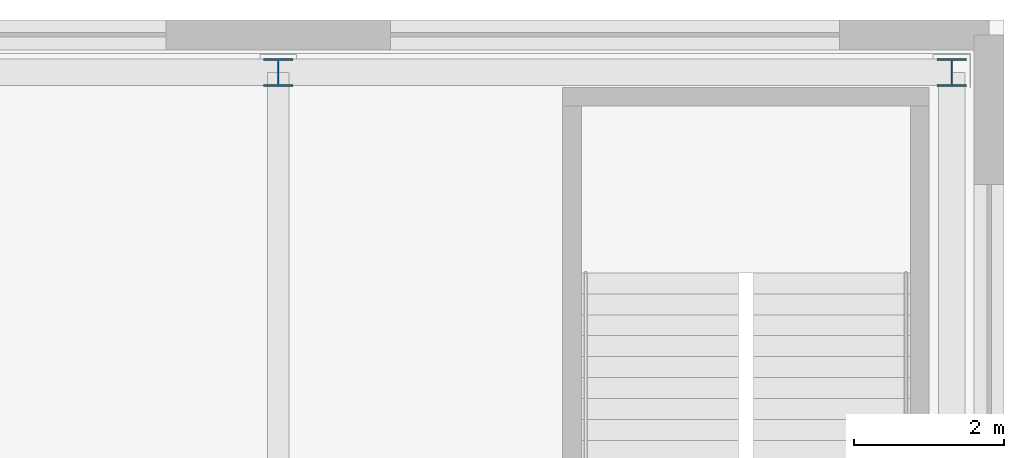
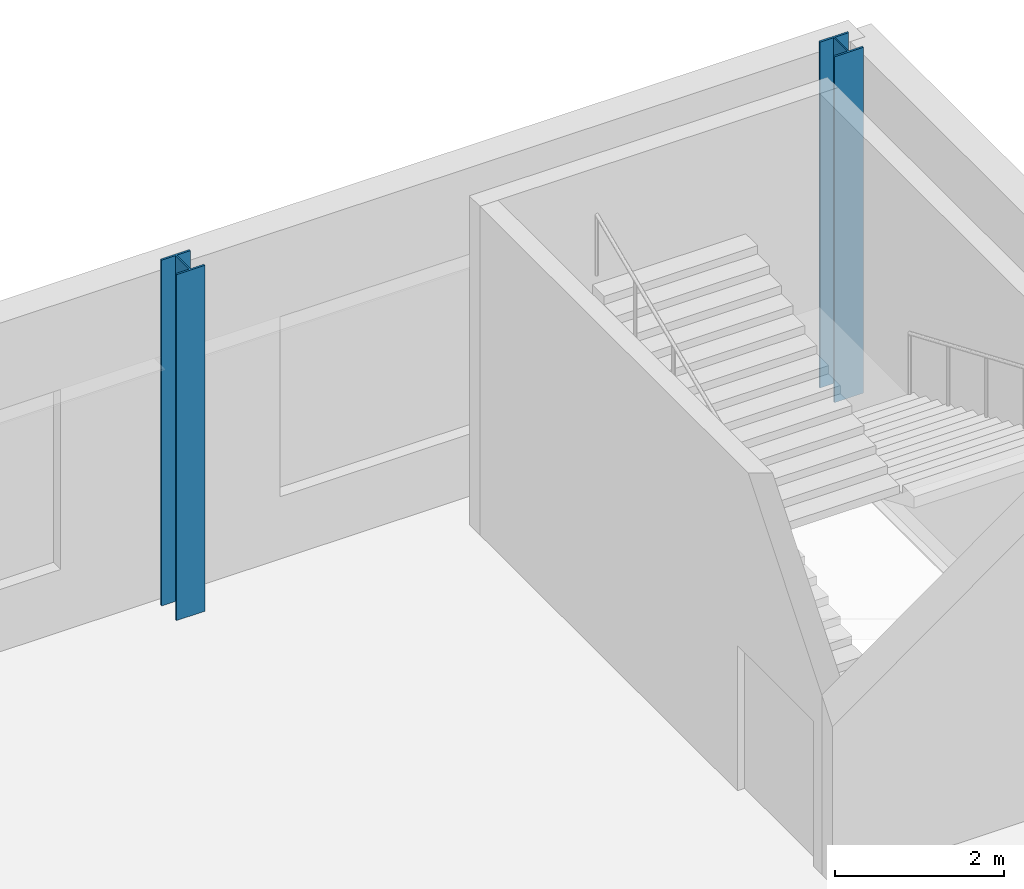
# One storey, part 8 of 31: 2 columns.
"""IFC4 building model written with IfcOpenShell, lengths in metres."""

from ifc_helpers import new_model, si_unit, direction, frame, origin, origin_2d, place, context, subcontext, project, spatial, i_section, extrude, material, material_profile, profile_set, type_object, element, save


model = new_model("IFC4")

# Units and contexts
model_context = context("Model", 3, precision=1e-05, world=origin(), true_north=direction((0.0, 1.0)))
body_context = subcontext(model_context, "Body", "Model", "MODEL_VIEW")
ifc_project = project(units=[si_unit("LENGTHUNIT", "METRE"), si_unit("AREAUNIT", "SQUARE_METRE"), si_unit("VOLUMEUNIT", "CUBIC_METRE"), si_unit("PLANEANGLEUNIT", "RADIAN"), si_unit("MASSUNIT", "GRAM", prefix="KILO")], contexts=[model_context])

# Site, building, storey
site_placement = place(None, origin())
site = spatial("IfcSite", under=ifc_project, at=site_placement, CompositionType="ELEMENT")
building_placement = place(site_placement, origin())
building = spatial("IfcBuilding", under=site, at=building_placement, Name="Loomwork Tower", CompositionType="ELEMENT")
storey_placement = place(building_placement, frame((0.0, 0.0, 11.0)))
storey = spatial("IfcBuildingStorey", under=building, at=storey_placement, Name="L02", CompositionType="ELEMENT", Elevation=11.0)

# Columns
ifc_material = material(Name="Steel ASTM A992", Category="steel")
ifc_material_profile = material_profile(ifc_material, i_section(OverallWidth=0.393798828125, OverallDepth=0.3759765625, WebThickness=0.017333984375, FlangeThickness=0.027587890625, at=origin_2d()), Name="W14x145")
ifc_profile_set = profile_set([ifc_material_profile], Name="Steel ASTM A992")
column_type = type_object("IfcColumnType", Name="PODIUM COLUMN W14x145", PredefinedType="COLUMN", material=ifc_profile_set)
for number, where, z_axis, x_axis, name in (
    (1, (54.0, 45.0, 0.0), (0.0, 0.0, 1.0), (1.0, 0.0, 0.0), "Podium Column J/8 L02"),
    (2, (63.0, 45.0, 0.0), (0.0, 0.0, 1.0), (1.0, 0.0, 0.0), "Podium Column J/9 L02"),
):
    element("IfcColumn", number, at=place(storey_placement, frame(where, z_axis=z_axis, x_axis=x_axis)), inside=storey, type_object=column_type, Name=name, PredefinedType="COLUMN", context=body_context, shape_type="SweptSolid", body=[
        extrude(i_section(OverallWidth=0.393798828125, OverallDepth=0.3759765625, WebThickness=0.017333984375, FlangeThickness=0.027587890625, at=origin_2d()), origin(), (0.0, 0.0, 1.0), 5.0),
    ])

save(model, "model.ifc")
